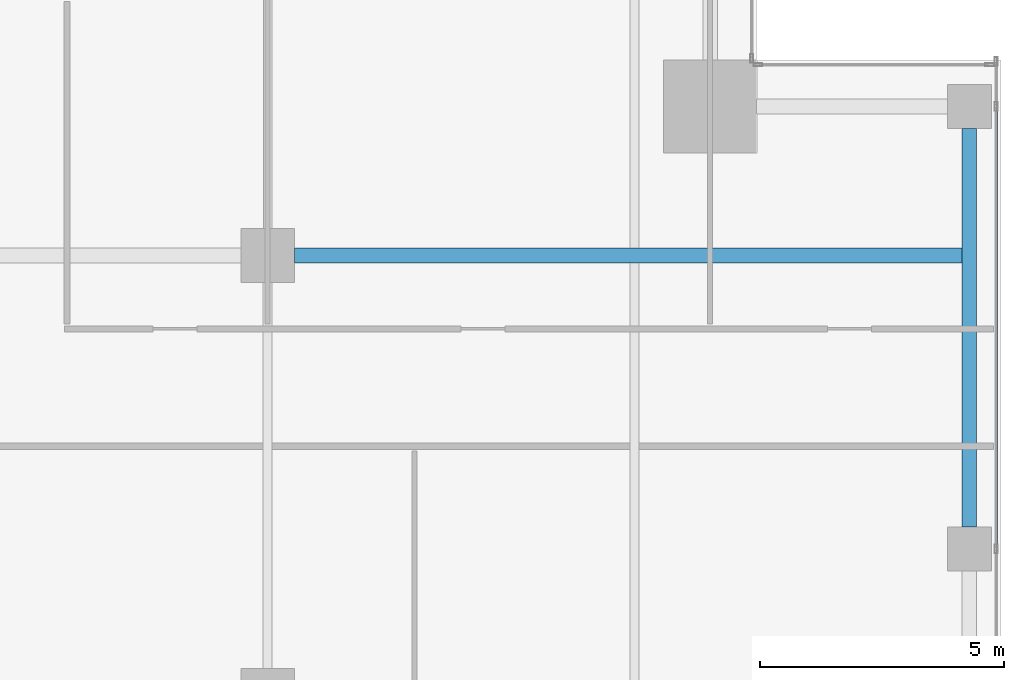
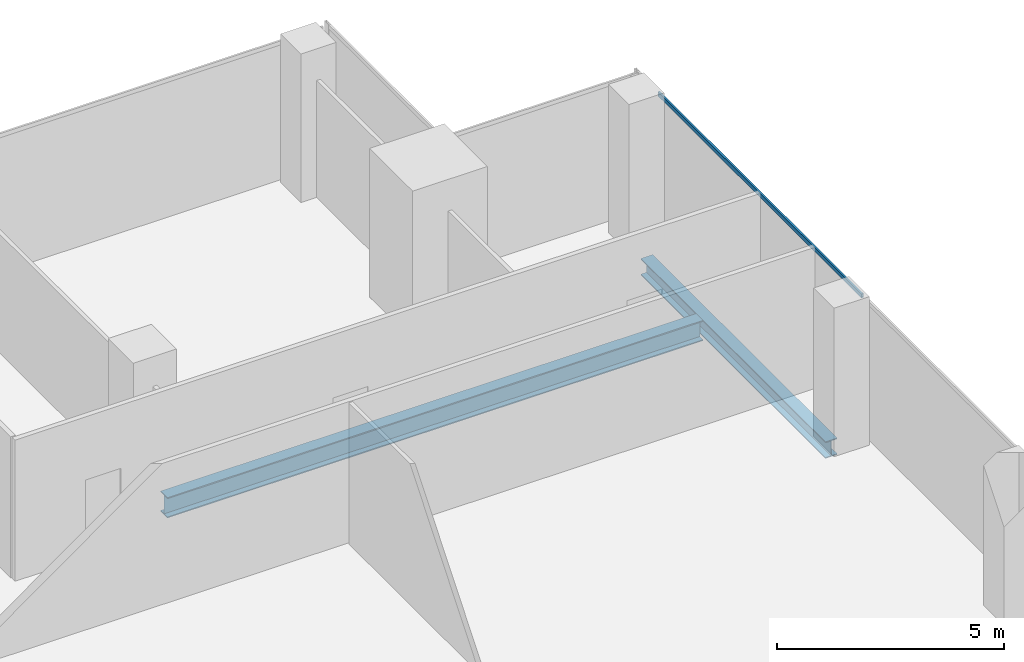
# One storey, part 21 of 35: 2 beams, 1 member, 1 element without a shape of its own.
"""IFC4 building model written with IfcOpenShell, lengths in metres."""

from ifc_helpers import new_model, si_unit, direction, frame, origin, origin_2d, place, context, subcontext, project, spatial, hollow_rectangle, i_section, extrude, source, transform, mapped, material, material_profile, profile_set, type_object, element, aggregate, save


model = new_model("IFC4")

# Units and contexts
model_context = context("Model", 3, precision=1e-05, world=origin(), true_north=direction((0.0, 1.0)))
body_context = subcontext(model_context, "Body", "Model", "MODEL_VIEW")
ifc_project = project(units=[si_unit("LENGTHUNIT", "METRE"), si_unit("AREAUNIT", "SQUARE_METRE"), si_unit("VOLUMEUNIT", "CUBIC_METRE"), si_unit("PLANEANGLEUNIT", "RADIAN"), si_unit("MASSUNIT", "GRAM", prefix="KILO")], contexts=[model_context])

# Site, building, storey
site_placement = place(None, origin())
site = spatial("IfcSite", under=ifc_project, at=site_placement, CompositionType="ELEMENT")
building_placement = place(site_placement, origin())
building = spatial("IfcBuilding", under=site, at=building_placement, Name="Khomas Fold Tower", CompositionType="ELEMENT")
storey_placement = place(building_placement, frame((0.0, 0.0, 270.199951171875)))
storey = spatial("IfcBuildingStorey", under=building, at=storey_placement, Name="L61", CompositionType="ELEMENT", Elevation=270.199951171875)

# Beams
ifc_material_1 = material(Name="Steel S355", Category="steel")
ifc_material_profile_1 = material_profile(ifc_material_1, i_section(OverallWidth=0.300048828125, OverallDepth=0.449951171875, WebThickness=0.013916015625, FlangeThickness=0.02587890625, at=origin_2d()), Name="HE 450 B")
ifc_profile_set_1 = profile_set([ifc_material_profile_1], Name="Steel S355")
beam_type_1 = type_object("IfcBeamType", Name="HE 450 B spandrel SB4", PredefinedType="SPANDREL", material=ifc_profile_set_1)
shared_shape_1 = source(origin(), body_context, "Body", "SweptSolid", [
    extrude(i_section(OverallWidth=0.300048828125, OverallDepth=0.449951171875, WebThickness=0.013916015625, FlangeThickness=0.02587890625, at=origin_2d()), origin(), (0.0, 0.0, 1.0), 8.150146484375),
])
beam_1_placement = place(storey_placement, frame((48.85009765625, 34.949951171875, -0.474853515625), z_axis=(0.0, 1.0, 0.0), x_axis=(-1.0, 0.0, 0.0)))
element("IfcBeam", 1, at=beam_1_placement, inside=storey, type_object=beam_type_1, Name="SB4", PredefinedType="SPANDREL", context=body_context, shape_type="MappedRepresentation", body=[
    mapped(shared_shape_1, transform((0.0, 0.0, 0.0))),
])
ifc_material_2 = material(Name="Steel S355", Category="steel")
ifc_material_profile_2 = material_profile(ifc_material_2, i_section(OverallWidth=0.300048828125, OverallDepth=0.550048828125, WebThickness=0.014892578125, FlangeThickness=0.029052734375, at=origin_2d()), Name="HE 550 B")
ifc_profile_set_2 = profile_set([ifc_material_profile_2], Name="Steel S355")
beam_type_2 = type_object("IfcBeamType", Name="HE 550 B beam GB4", PredefinedType="BEAM", material=ifc_profile_set_2)
shared_shape_2 = source(origin(), body_context, "Body", "SweptSolid", [
    extrude(i_section(OverallWidth=0.300048828125, OverallDepth=0.550048828125, WebThickness=0.014892578125, FlangeThickness=0.029052734375, at=origin_2d()), origin(), (0.0, 0.0, 1.0), 13.64990234375),
])
beam_2_placement = place(storey_placement, frame((35.050048828125, 40.5, -0.52490234375), z_axis=(1.0, 0.0, 0.0), x_axis=(0.0, 1.0, 0.0)))
element("IfcBeam", 2, at=beam_2_placement, inside=storey, type_object=beam_type_2, Name="GB4", PredefinedType="BEAM", context=body_context, shape_type="MappedRepresentation", body=[
    mapped(shared_shape_2, transform((0.0, 0.0, 0.0))),
])

# Curtain wall, member
ifc_material_3 = material(Name="Aluminium framed double glazing", Category="aluminium")
curtain_wall_type = type_object("IfcCurtainWallType", Name="SK-Unitised clear-glass wall, office floors CW2", PredefinedType="NOTDEFINED", material=ifc_material_3)
curtain_wall_placement = place(storey_placement, origin())
curtain_wall = element("IfcCurtainWall", 3, at=curtain_wall_placement, inside=storey, type_object=curtain_wall_type, Name="CW2 run L61 03-0", PredefinedType="NOTDEFINED")
ifc_material_4 = material(Name="Aluminium", Category="aluminium")
ifc_material_profile_3 = material_profile(ifc_material_4, hollow_rectangle(XDim=0.050048828125, YDim=0.110107421875, WallThickness=0.00390625, at=origin_2d()), Name="SK-Unitised clear-glass wall, office floors transom CW2-T")
ifc_profile_set_3 = profile_set([ifc_material_profile_3], Name="Aluminium")
member_type = type_object("IfcMemberType", Name="SK-Unitised clear-glass wall, office floors transom CW2-T", PredefinedType="USERDEFINED", material=ifc_profile_set_3)
shared_shape_3 = source(origin(), body_context, "Body", "SweptSolid", [
    extrude(hollow_rectangle(XDim=0.050048828125, YDim=0.110107421875, WallThickness=0.00390625, at=origin_2d()), origin(), (0.0, 0.0, 1.0), 8.989990234375),
])
member_placement = place(storey_placement, frame((49.39990234375, 34.530029296875, 3.695068359375), z_axis=(0.0, 1.0, 0.0), x_axis=(-1.0, 0.0, 0.0)))
member = element("IfcMember", 4, at=member_placement, type_object=member_type, Name="CW2 transom 5", ObjectType="TRANSOM", PredefinedType="USERDEFINED", context=body_context, shape_type="MappedRepresentation", body=[
    mapped(shared_shape_3, transform((0.0, 0.0, 0.0))),
])
aggregate(curtain_wall, [member])

save(model, "model.ifc")
